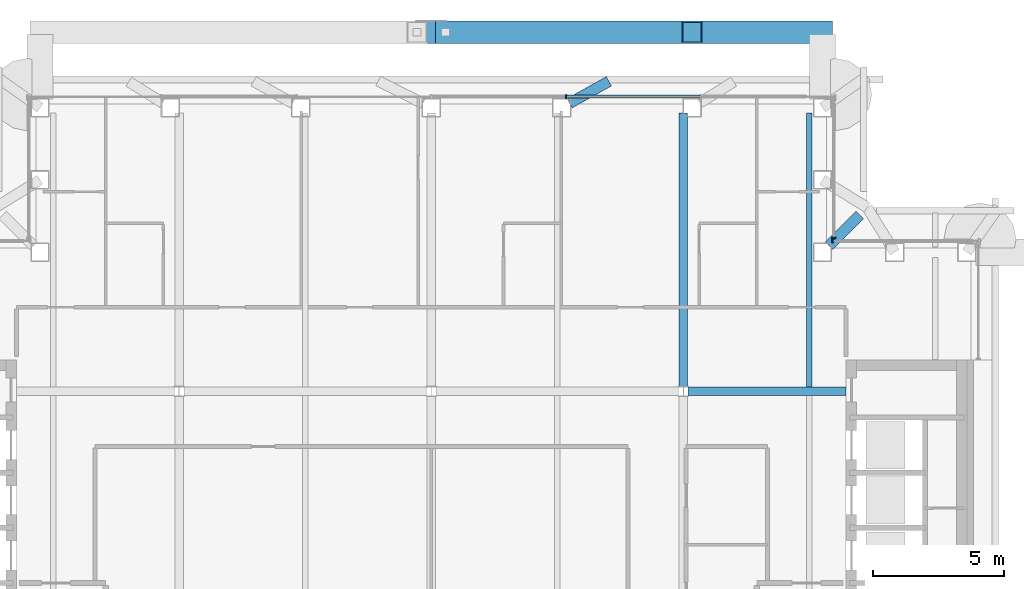
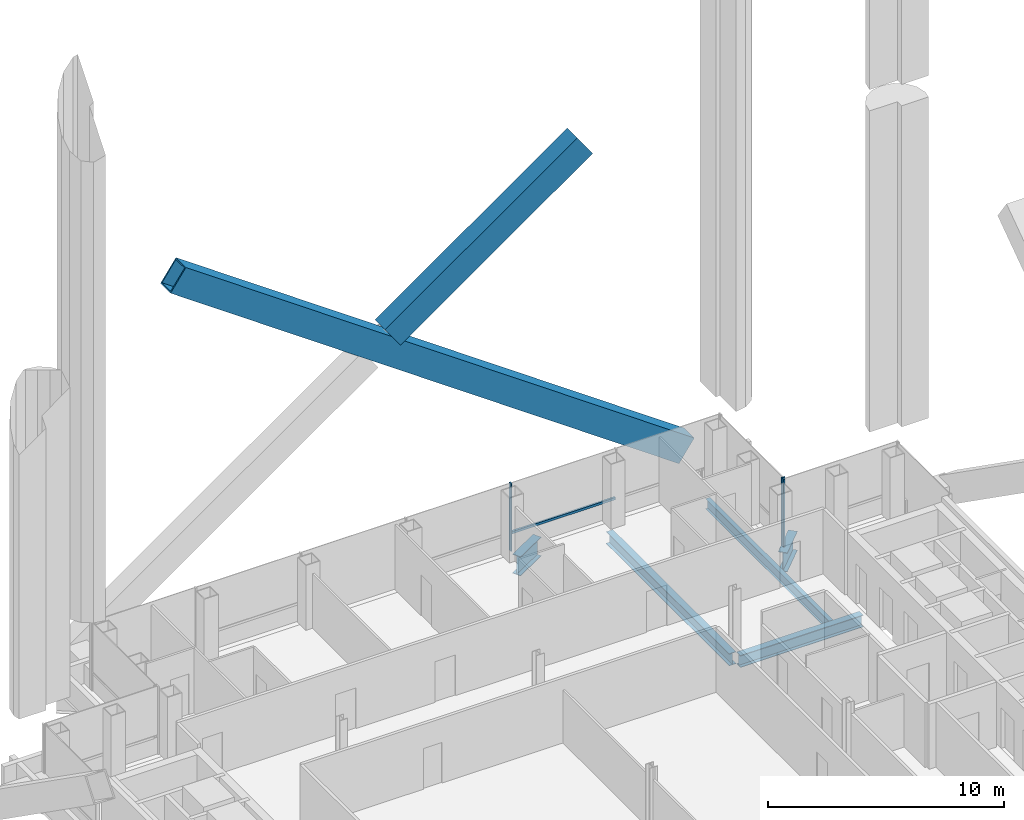
# One storey, part 10 of 22: 6 members, 5 beams, 3 elements without a shape of their own.
"""IFC4 building model written with IfcOpenShell, lengths in metres."""

from ifc_helpers import new_model, si_unit, direction, frame, origin, origin_2d, place, context, subcontext, project, spatial, rectangle, hollow_rectangle, i_section, extrude, material, material_profile, profile_set, type_object, element, aggregate, save


model = new_model("IFC4")

# Units and contexts
model_context = context("Model", 3, precision=1e-05, world=origin(), true_north=direction((0.0, 1.0)))
body_context = subcontext(model_context, "Body", "Model", "MODEL_VIEW")
ifc_project = project(units=[si_unit("LENGTHUNIT", "METRE"), si_unit("AREAUNIT", "SQUARE_METRE"), si_unit("VOLUMEUNIT", "CUBIC_METRE"), si_unit("PLANEANGLEUNIT", "RADIAN"), si_unit("MASSUNIT", "GRAM", prefix="KILO")], contexts=[model_context])

# Site, building, storey
site_placement = place(None, origin())
site = spatial("IfcSite", under=ifc_project, at=site_placement, CompositionType="ELEMENT")
building_placement = place(site_placement, origin())
building = spatial("IfcBuilding", under=site, at=building_placement, Name="Cobrizo Arcos Hotel Tower", CompositionType="ELEMENT")
storey_placement = place(building_placement, frame((0.0, 0.0, 191.0)))
storey = spatial("IfcBuildingStorey", under=building, at=storey_placement, Name="L49", CompositionType="ELEMENT", Elevation=191.0)

# Members
ifc_material_1 = material(Name="Steel ASTM A572 Grade 50", Category="steel")
ifc_material_profile_1 = material_profile(ifc_material_1, hollow_rectangle(XDim=0.85009765625, YDim=1.300048828125, WallThickness=0.06005859375, at=origin_2d()), Name="BOX 850X1300X60")
ifc_profile_set_1 = profile_set([ifc_material_profile_1], Name="Steel ASTM A572 Grade 50")
member_type_1 = type_object("IfcMemberType", Name="BOX 850X1300X60 perimeter brace", PredefinedType="BRACE", material=ifc_profile_set_1)
member_1_placement = place(storey_placement, frame((14.89990234375, 23.27490234375, 0.5), z_axis=(-0.81742283515, 0.0, 0.576038113821), x_axis=(0.0, -1.0, 0.0)))
element("IfcMember", 1, at=member_1_placement, inside=storey, type_object=member_type_1, Name="Perimeter brace PBR4, zone Z4, north face, no. 00", PredefinedType="BRACE", context=body_context, shape_type="SweptSolid", body=[
    extrude(hollow_rectangle(XDim=0.85009765625, YDim=1.300048828125, WallThickness=0.06005859375, at=origin_2d()), origin(), (0.0, 0.0, 1.0), 30.3798828125),
])
member_2_placement = place(storey_placement, frame((0.539794921875, 23.27490234375, 11.38037109375), z_axis=(0.817423321181, 0.0, 0.576037424122), x_axis=(0.0, 1.0, 0.0)))
element("IfcMember", 2, at=member_2_placement, inside=storey, type_object=member_type_1, Name="Perimeter brace PBR4, zone Z4, north face, no. 01b", PredefinedType="BRACE", context=body_context, shape_type="SweptSolid", body=[
    extrude(hollow_rectangle(XDim=0.85009765625, YDim=1.300048828125, WallThickness=0.06005859375, at=origin_2d()), origin(), (0.0, 0.0, 1.0), 11.49169921875),
])

# Curtain wall, member
ifc_material_2 = material(Name="Aluminium 6063-T6 anodised bronze", Category="aluminium")
curtain_wall_type = type_object("IfcCurtainWallType", Name="CW-A guest facade", PredefinedType="NOTDEFINED", material=ifc_material_2)
curtain_wall_1_placement = place(storey_placement, origin())
curtain_wall_1 = element("IfcCurtainWall", 3, at=curtain_wall_1_placement, inside=storey, type_object=curtain_wall_type, Name="CW-A L49 N face", PredefinedType="NOTDEFINED")
ifc_material_profile_2 = material_profile(ifc_material_2, rectangle(XDim=0.14990234375, YDim=0.06005859375, at=origin_2d()), Name="CW-A mullion 150x60")
ifc_profile_set_2 = profile_set([ifc_material_profile_2], Name="Aluminium 6063-T6 anodised bronze")
member_type_2 = type_object("IfcMemberType", Name="CW-A mullion 150x60", PredefinedType="MULLION", material=ifc_profile_set_2)
member_3_placement = place(storey_placement, frame((15.280029296875, 15.324951171875, 0.0), z_axis=(0.0, 0.0, 1.0), x_axis=(0.0, 1.0, 0.0)))
member_3 = element("IfcMember", 4, at=member_3_placement, type_object=member_type_2, Name="CW-A mullion 2", PredefinedType="MULLION", context=body_context, shape_type="SweptSolid", body=[
    extrude(rectangle(XDim=0.14990234375, YDim=0.06005859375, at=origin_2d()), origin(), (0.0, 0.0, 1.0), 3.5),
])
aggregate(curtain_wall_1, [member_3])

curtain_wall_2_placement = place(storey_placement, origin())
curtain_wall_2 = element("IfcCurtainWall", 5, at=curtain_wall_2_placement, inside=storey, type_object=curtain_wall_type, Name="CW-A L49 E face", PredefinedType="NOTDEFINED")
member_4_placement = place(storey_placement, frame((15.324951171875, 15.429931640625, 0.0), z_axis=(0.0, 0.0, 1.0), x_axis=(1.0, 0.0, 0.0)))
member_4 = element("IfcMember", 6, at=member_4_placement, type_object=member_type_2, Name="CW-A mullion 1", PredefinedType="MULLION", context=body_context, shape_type="SweptSolid", body=[
    extrude(rectangle(XDim=0.14990234375, YDim=0.06005859375, at=origin_2d()), origin(), (0.0, 0.0, 1.0), 3.5),
])
aggregate(curtain_wall_2, [member_4])

# Curtain wall, members
curtain_wall_3_placement = place(storey_placement, origin())
curtain_wall_3 = element("IfcCurtainWall", 7, at=curtain_wall_3_placement, inside=storey, type_object=curtain_wall_type, Name="CW-A L49 N face", PredefinedType="NOTDEFINED")
member_5_placement = place(storey_placement, frame((5.13330078125, 20.824951171875, 0.0), z_axis=(0.0, 0.0, 1.0), x_axis=(0.0, 1.0, 0.0)))
member_5 = element("IfcMember", 8, at=member_5_placement, type_object=member_type_2, Name="CW-A mullion 3", PredefinedType="MULLION", context=body_context, shape_type="SweptSolid", body=[
    extrude(rectangle(XDim=0.14990234375, YDim=0.06005859375, at=origin_2d()), origin(), (0.0, 0.0, 1.0), 3.5),
])
ifc_material_profile_3 = material_profile(ifc_material_2, rectangle(XDim=0.10009765625, YDim=0.1201171875, at=origin_2d()), Name="CW-A transom 120x100")
ifc_profile_set_3 = profile_set([ifc_material_profile_3], Name="Aluminium 6063-T6 anodised bronze")
member_type_3 = type_object("IfcMemberType", Name="CW-A transom 120x100", PredefinedType="USERDEFINED", material=ifc_profile_set_3)
member_6_placement = place(storey_placement, frame((10.236572265625, 20.824951171875, 0.929931640625), z_axis=(-1.0, 0.0, 0.0), x_axis=(0.0, -1.0, 0.0)))
member_6 = element("IfcMember", 9, at=member_6_placement, type_object=member_type_3, Name="CW-A transom 1709", ObjectType="TRANSOM", PredefinedType="USERDEFINED", context=body_context, shape_type="SweptSolid", body=[
    extrude(rectangle(XDim=0.10009765625, YDim=0.1201171875, at=origin_2d()), origin(), (0.0, 0.0, 1.0), 5.0732421875),
])
aggregate(curtain_wall_3, [member_5, member_6])

# Beams
ifc_material_3 = material(Name="Steel ASTM A992 Grade 50", Category="steel")
ifc_material_profile_4 = material_profile(ifc_material_3, i_section(OverallWidth=0.209228515625, OverallDepth=0.533447265625, WebThickness=0.01025390625, FlangeThickness=0.015625, at=origin_2d()), Name="W21X62")
ifc_profile_set_4 = profile_set([ifc_material_profile_4], Name="Steel ASTM A992 Grade 50")
beam_type_1 = type_object("IfcBeamType", Name="W21X62 joist", PredefinedType="JOIST", material=ifc_profile_set_4)
beam_1_placement = place(storey_placement, frame((14.39990234375, 9.763916015625, -0.416748046875), z_axis=(0.0, 1.0, 0.0), x_axis=(-1.0, 0.0, 0.0)))
element("IfcBeam", 10, at=beam_1_placement, inside=storey, type_object=beam_type_1, Name="Floor joist J1, L49, no. 020", PredefinedType="JOIST", context=body_context, shape_type="SweptSolid", body=[
    extrude(i_section(OverallWidth=0.209228515625, OverallDepth=0.533447265625, WebThickness=0.01025390625, FlangeThickness=0.015625, at=origin_2d()), origin(), (0.0, 0.0, 1.0), 10.435546875),
])
ifc_material_profile_5 = material_profile(ifc_material_3, i_section(OverallWidth=0.32763671875, OverallDepth=0.622314453125, WebThickness=0.015380859375, FlangeThickness=0.0244140625, at=origin_2d()), Name="W24X131")
ifc_profile_set_5 = profile_set([ifc_material_profile_5], Name="Steel ASTM A992 Grade 50")
beam_type_2 = type_object("IfcBeamType", Name="W24X131 girder", PredefinedType="BEAM", material=ifc_profile_set_5)
beam_2_placement = place(storey_placement, frame((9.78662109375, 9.60009765625, -0.461181640625), z_axis=(1.0, 0.0, 0.0), x_axis=(0.0, 1.0, 0.0)))
element("IfcBeam", 11, at=beam_2_placement, inside=storey, type_object=beam_type_2, Name="Floor girder G1, L49, no. 012", PredefinedType="BEAM", context=body_context, shape_type="SweptSolid", body=[
    extrude(i_section(OverallWidth=0.32763671875, OverallDepth=0.622314453125, WebThickness=0.015380859375, FlangeThickness=0.0244140625, at=origin_2d()), origin(), (0.0, 0.0, 1.0), 6.00341796875),
])
beam_3_placement = place(storey_placement, frame((9.60009765625, 9.78662109375, -0.461181640625), z_axis=(0.0, 1.0, 0.0), x_axis=(-1.0, 0.0, 0.0)))
element("IfcBeam", 12, at=beam_3_placement, inside=storey, type_object=beam_type_2, Name="Floor girder G1, L49, no. 024", PredefinedType="BEAM", context=body_context, shape_type="SweptSolid", body=[
    extrude(i_section(OverallWidth=0.32763671875, OverallDepth=0.622314453125, WebThickness=0.015380859375, FlangeThickness=0.0244140625, at=origin_2d()), origin(), (0.0, 0.0, 1.0), 10.412841796875),
])
ifc_material_profile_6 = material_profile(ifc_material_3, i_section(OverallWidth=0.4013671875, OverallDepth=0.990478515625, WebThickness=0.0166015625, FlangeThickness=0.025390625, at=origin_2d()), Name="W40X215")
ifc_profile_set_6 = profile_set([ifc_material_profile_6], Name="Steel ASTM A992 Grade 50")
beam_type_3 = type_object("IfcBeamType", Name="W40X215 transfer girder", PredefinedType="BEAM", material=ifc_profile_set_6)
beam_4_placement = place(storey_placement, frame((6.764892578125, 21.40478515625, -0.645263671875), z_axis=(-0.872948847751, -0.487811755916, 0.0), x_axis=(0.487811755916, -0.872948847751, 0.0)))
element("IfcBeam", 13, at=beam_4_placement, inside=storey, type_object=beam_type_3, Name="Setback transfer girder TG1, L49, no. 009", PredefinedType="BEAM", context=body_context, shape_type="SweptSolid", body=[
    extrude(i_section(OverallWidth=0.4013671875, OverallDepth=0.990478515625, WebThickness=0.0166015625, FlangeThickness=0.025390625, at=origin_2d()), origin(), (0.0, 0.0, 1.0), 1.709716796875),
])
beam_5_placement = place(storey_placement, frame((16.317138671875, 16.317138671875, -0.645263671875), z_axis=(-0.707106781187, -0.707106781187, 0.0), x_axis=(0.707106781187, -0.707106781187, 0.0)))
element("IfcBeam", 14, at=beam_5_placement, inside=storey, type_object=beam_type_3, Name="Setback transfer girder TG1, L49, no. 028", PredefinedType="BEAM", context=body_context, shape_type="SweptSolid", body=[
    extrude(i_section(OverallWidth=0.4013671875, OverallDepth=0.990478515625, WebThickness=0.0166015625, FlangeThickness=0.025390625, at=origin_2d()), origin(), (0.0, 0.0, 1.0), 1.654052734375),
])

save(model, "model.ifc")
